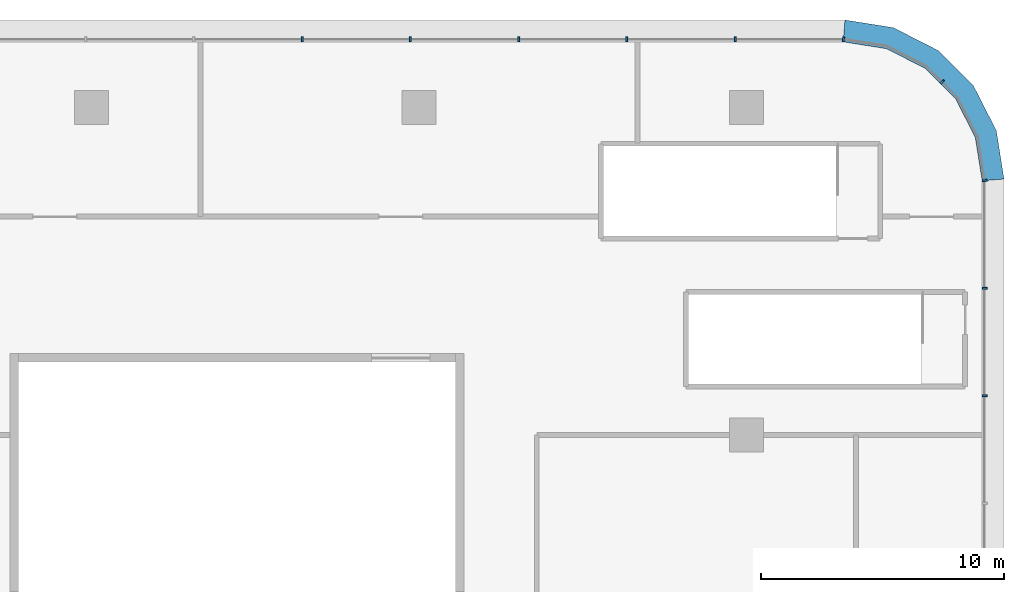
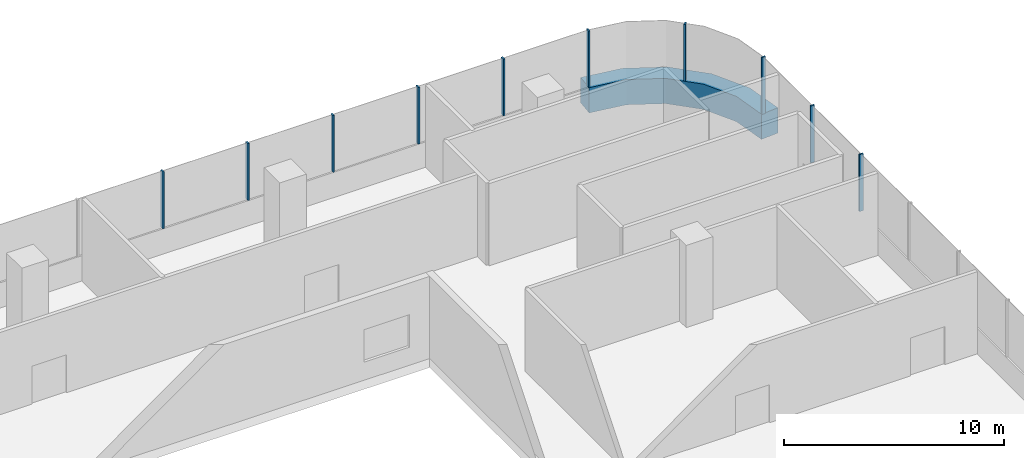
# One storey, part 19 of 38: 11 members, 3 elements without a shape of their own.
"""IFC4 building model written with IfcOpenShell, lengths in metres."""

import ifcopenshell
import ifcopenshell.guid

model = None  # the IFC model being written
_history = None  # IfcOwnerHistory: only IFC2X3 demands one
_inside = {}  # id of a spatial element -> (the spatial element, [elements in it])
_under = {}  # id of a project, library or spatial element -> (it, [spatial elements below it])
_declared = {}  # id of a project -> (the project, [libraries it declares])
_typed = {}  # id of a type object -> (the type object, [elements of that type])
_made_of = {}  # id of a material, layer set ... -> (it, [elements and type objects made of it])


def new_model(schema):
    """Start an empty IFC model of exactly this schema.

    Asked for "IFC4X3", IfcOpenShell would pick the latest addendum, in which some entities
    have other attributes; the version numbers below select the first issue.
    IFC2X3 requires an IfcOwnerHistory on every rooted entity: one is made here for all.
    """
    global model, _history
    if schema == "IFC4X3":
        model = ifcopenshell.file(schema_version=(4, 3, 0, 0))
    else:
        model = ifcopenshell.file(schema=schema)
    _inside.clear()
    _under.clear()
    _declared.clear()
    _typed.clear()
    _made_of.clear()
    _history = None
    if model.schema == "IFC2X3":
        org = make("IfcOrganization", Name="unknown")
        user = make(
            "IfcPersonAndOrganization",
            ThePerson=make("IfcPerson", FamilyName="unknown"),
            TheOrganization=org,
        )
        app = make(
            "IfcApplication",
            ApplicationDeveloper=org,
            Version="unknown",
            ApplicationFullName="unknown",
            ApplicationIdentifier="unknown",
        )
        _history = make(
            "IfcOwnerHistory",
            OwningUser=user,
            OwningApplication=app,
            ChangeAction="ADDED",
            CreationDate=0,
        )
    return model


def make(cls, **values):
    """One entity of the class cls with the attributes given. An attribute that is None is left unset."""
    return model.create_entity(
        cls, **{name: value for name, value in values.items() if value is not None}
    )


def rooted(cls, **values):
    """An entity with a GlobalId (a new one), such as an element, a storey or a relation."""
    return make(cls, GlobalId=ifcopenshell.guid.new(), OwnerHistory=_history, **values)


def si_unit(unit_type, name, prefix=None):
    """IfcSIUnit, for example si_unit("LENGTHUNIT", "METRE", prefix="MILLI")."""
    return make("IfcSIUnit", UnitType=unit_type, Prefix=prefix, Name=name)


def assignment(units):
    """IfcUnitAssignment: the units of a project."""
    return None if units is None else make("IfcUnitAssignment", Units=units)


def point(xyz):
    """IfcCartesianPoint."""
    return None if xyz is None else make("IfcCartesianPoint", Coordinates=xyz)


def direction(xyz):
    """IfcDirection."""
    return None if xyz is None else make("IfcDirection", DirectionRatios=xyz)


def frame(location, z_axis=None, x_axis=None):
    """IfcAxis2Placement3D, a coordinate frame: its origin and axes. An axis left out is left unset."""
    return make(
        "IfcAxis2Placement3D",
        Location=point(location),
        Axis=direction(z_axis),
        RefDirection=direction(x_axis),
    )


def frame_2d(location, x_axis=None):
    """IfcAxis2Placement2D, a coordinate frame in the plane: its origin and x axis."""
    return make(
        "IfcAxis2Placement2D", Location=point(location), RefDirection=direction(x_axis)
    )


def origin():
    """The frame at (0, 0, 0) with its axes left unset."""
    return frame((0.0, 0.0, 0.0))


def origin_2d():
    """The frame at (0, 0) in the plane with its x axis left unset."""
    return frame_2d((0.0, 0.0))


def place(relative_to, where):
    """IfcLocalPlacement: puts the frame where relative to a parent placement (None: the world)."""
    return make(
        "IfcLocalPlacement", PlacementRelTo=relative_to, RelativePlacement=where
    )


def context(
    kind, dimensions, precision=None, world=None, true_north=None, identifier=None
):
    """IfcGeometricRepresentationContext, for example the 3D "Model" context."""
    return make(
        "IfcGeometricRepresentationContext",
        ContextIdentifier=identifier,
        ContextType=kind,
        CoordinateSpaceDimension=dimensions,
        Precision=precision,
        WorldCoordinateSystem=world,
        TrueNorth=true_north,
    )


def subcontext(parent, identifier, kind, view, scale=None):
    """IfcGeometricRepresentationSubContext, for example "Body" below "Model"."""
    return make(
        "IfcGeometricRepresentationSubContext",
        ContextIdentifier=identifier,
        ContextType=kind,
        ParentContext=parent,
        TargetScale=scale,
        TargetView=view,
    )


def project(units=None, contexts=None):
    """IfcProject with its units and contexts."""
    return rooted(
        "IfcProject",
        Name="project",
        RepresentationContexts=contexts,
        UnitsInContext=assignment(units),
    )


def spatial(cls, under=None, at=None, **own):
    """A site, building, storey or space (cls), placed at a placement, below another one or the project."""
    s = rooted(cls, ObjectPlacement=at, **own)
    if under is not None:
        _under.setdefault(under.id(), (under, []))[1].append(s)
    return s


def polyline(points):
    """IfcPolyline through the points."""
    return make("IfcPolyline", Points=[point(p) for p in points])


def profile(cls, at=None, kind="AREA", **sizes):
    """A parametric profile (cls). Its sizes go by their IFC names, for example OverallWidth=200.0."""
    return make(cls, ProfileType=kind, Position=at, **sizes)


def rectangle(**sizes):
    """IfcRectangleProfileDef."""
    return profile("IfcRectangleProfileDef", **sizes)


def outline(outer, holes=None, kind="AREA"):
    """IfcArbitraryClosedProfileDef: a profile drawn as a closed curve; with holes, ...WithVoids."""
    if holes is None:
        return make("IfcArbitraryClosedProfileDef", ProfileType=kind, OuterCurve=outer)
    return make(
        "IfcArbitraryProfileDefWithVoids",
        ProfileType=kind,
        OuterCurve=outer,
        InnerCurves=holes,
    )


def extrude(swept, where, along, depth):
    """IfcExtrudedAreaSolid: the profile swept, set in the frame where, extruded along a direction by depth."""
    return make(
        "IfcExtrudedAreaSolid",
        SweptArea=swept,
        Position=where,
        ExtrudedDirection=direction(along),
        Depth=depth,
    )


def shape(context_of_items, identifier, shape_type, items):
    """IfcShapeRepresentation: the items that make up one representation, for example the "Body"."""
    return make(
        "IfcShapeRepresentation",
        ContextOfItems=context_of_items,
        RepresentationIdentifier=identifier,
        RepresentationType=shape_type,
        Items=items,
    )


def material(Name=None, Category=None):
    """IfcMaterial."""
    return make("IfcMaterial", Name=Name, Category=Category)


def layer(
    of_material, thickness, ventilated=None, Name=None, Category=None, Priority=None
):
    """IfcMaterialLayer: one layer of a wall or slab, of a material (None: an air gap)."""
    return make(
        "IfcMaterialLayer",
        Material=of_material,
        LayerThickness=thickness,
        IsVentilated=ventilated,
        Name=Name,
        Category=Category,
        Priority=Priority,
    )


def layer_set(layers, Name=None):
    """IfcMaterialLayerSet."""
    return make("IfcMaterialLayerSet", MaterialLayers=layers, LayerSetName=Name)


def material_profile(
    of_material, cross_section, Name=None, Category=None, Priority=None
):
    """IfcMaterialProfile: a cross section and its material."""
    return make(
        "IfcMaterialProfile",
        Name=Name,
        Material=of_material,
        Profile=cross_section,
        Priority=Priority,
        Category=Category,
    )


def profile_set(profiles, Name=None, composite=None):
    """IfcMaterialProfileSet."""
    return make(
        "IfcMaterialProfileSet",
        Name=Name,
        MaterialProfiles=profiles,
        CompositeProfile=composite,
    )


def made_of(thing, what):
    """Note that an element or type object is made of a material, layer set ...; save() writes the relation."""
    if what is not None:
        _made_of.setdefault(what.id(), (what, []))[1].append(thing)
    return thing


def type_object(cls, material=None, **own):
    """A type object (cls), such as IfcWallType, which elements share."""
    return made_of(rooted(cls, **own), material)


def element(
    cls,
    number,
    at=None,
    inside=None,
    cuts=None,
    type_object=None,
    material=None,
    context=None,
    identifier="Body",
    shape_type=None,
    held_by="IfcProductDefinitionShape",
    body=None,
    shapes=None,
    **own,
):
    """One element of the class cls, such as IfcWall. Its Tag is "e" and its number.

    at: its placement. inside: the storey or other place that contains it. cuts: it is an
    opening in that element (IfcRelVoidsElement). A single representation is given by context,
    identifier, shape_type and body (its items); several are given by shapes. held_by: the class
    of the entity that holds the representations. save() writes the other relations.
    """
    e = rooted(cls, Tag="e%d" % number, ObjectPlacement=at, **own)
    if body is not None:
        shapes = [shape(context, identifier, shape_type, body)]
    if shapes is not None:
        e.Representation = make(held_by, Representations=shapes)
    if inside is not None:
        _inside.setdefault(inside.id(), (inside, []))[1].append(e)
    if cuts is not None:
        rooted(
            "IfcRelVoidsElement", RelatingBuildingElement=cuts, RelatedOpeningElement=e
        )
    if type_object is not None:
        _typed.setdefault(type_object.id(), (type_object, []))[1].append(e)
    return made_of(e, material)


def aggregate(whole, parts):
    """IfcRelAggregates: a whole, such as a stair, and the parts it consists of."""
    return rooted("IfcRelAggregates", RelatingObject=whole, RelatedObjects=parts)


def save(model, path):
    """Write the relations noted so far, then the file.

    IfcRelAggregates (storeys below a building ...), IfcRelContainedInSpatialStructure (elements
    in a storey), IfcRelDefinesByType, IfcRelAssociatesMaterial and IfcRelDeclares: one each for
    every whole, place, type object, material and project.
    """
    for whole, parts in _under.values():
        aggregate(whole, parts)
    for where, things in _inside.values():
        rooted(
            "IfcRelContainedInSpatialStructure",
            RelatedElements=things,
            RelatingStructure=where,
        )
    for kind, things in _typed.values():
        rooted("IfcRelDefinesByType", RelatedObjects=things, RelatingType=kind)
    for what, things in _made_of.values():
        rooted("IfcRelAssociatesMaterial", RelatedObjects=things, RelatingMaterial=what)
    for by, libraries in _declared.values():
        rooted("IfcRelDeclares", RelatingContext=by, RelatedDefinitions=libraries)
    model.write(path)


model = new_model("IFC4")

# Units and contexts
model_context = context("Model", 3, precision=1e-05, world=origin(), true_north=direction((0.0, 1.0)))
body_context = subcontext(model_context, "Body", "Model", "MODEL_VIEW")
ifc_project = project(units=[si_unit("LENGTHUNIT", "METRE"), si_unit("AREAUNIT", "SQUARE_METRE"), si_unit("VOLUMEUNIT", "CUBIC_METRE"), si_unit("PLANEANGLEUNIT", "RADIAN"), si_unit("MASSUNIT", "GRAM", prefix="KILO")], contexts=[model_context])

# Site, building, storey
site_placement = place(None, origin())
site = spatial("IfcSite", under=ifc_project, at=site_placement, CompositionType="ELEMENT")
building_placement = place(site_placement, origin())
building = spatial("IfcBuilding", under=site, at=building_placement, Name="Tamarind Cross Interchange Tower", CompositionType="ELEMENT")
storey_placement = place(building_placement, frame((0.0, 0.0, 20.0)))
storey = spatial("IfcBuildingStorey", under=building, at=storey_placement, Name="L03", CompositionType="ELEMENT", Elevation=20.0)

# Curtain wall, member
ifc_material_1 = material(Name="Aluminium 6063-T6", Category="aluminium")
ifc_layer = layer(ifc_material_1, 0.199951171875)
ifc_layer_set = layer_set([ifc_layer], Name="Aluminium 6063-T6")
curtain_wall_type = type_object("IfcCurtainWallType", Name="Podium shopfront and station curtain wall", PredefinedType="NOTDEFINED", material=ifc_layer_set)
curtain_wall_1_placement = place(storey_placement, origin())
curtain_wall_1 = element("IfcCurtainWall", 1, at=curtain_wall_1_placement, inside=storey, type_object=curtain_wall_type, Name="CWS-L03-01", PredefinedType="NOTDEFINED")
ifc_material_2 = material(Name="Aluminium and insulated spandrel panel", Category="aluminium")
member_type_1 = type_object("IfcMemberType", Name="Floor-edge blade transom", PredefinedType="USERDEFINED", material=ifc_material_2)
member_1_placement = place(storey_placement, origin())
member_1 = element("IfcMember", 2, at=member_1_placement, type_object=member_type_1, Name="CWT-L03-01", ObjectType="TRANSOM", PredefinedType="USERDEFINED", context=body_context, shape_type="SweptSolid", body=[
    extrude(outline(polyline([(63.699951171875, 50.976318359375), (63.41748046875, 52.76025390625), (62.6083984375, 54.34814453125), (61.34814453125, 55.6083984375), (59.76025390625, 56.41748046875), (57.976318359375, 56.699951171875), (58.047119140625, 57.60009765625), (60.041748046875, 57.2841796875), (61.8837890625, 56.345458984375), (63.345458984375, 54.8837890625), (64.2841796875, 53.041748046875), (64.60009765625, 51.047119140625), (63.699951171875, 50.976318359375)])), origin(), (0.0, 0.0, 1.0), 1.39990234375),
])

# Curtain wall, members
curtain_wall_2_placement = place(storey_placement, origin())
curtain_wall_2 = element("IfcCurtainWall", 3, at=curtain_wall_2_placement, inside=storey, type_object=curtain_wall_type, Name="CWS-L03-00", PredefinedType="NOTDEFINED")
ifc_material_profile = material_profile(ifc_material_1, rectangle(XDim=0.080078125, YDim=0.199951171875, at=origin_2d()), Name="Mullion CW3")
ifc_profile_set = profile_set([ifc_material_profile], Name="Aluminium 6063-T6")
member_type_2 = type_object("IfcMemberType", Name="Mullion CW3", PredefinedType="MULLION", material=ifc_profile_set)
member_2_placement = place(storey_placement, frame((63.800048828125, 42.117431640625, 1.39990234375), z_axis=(0.0, 0.0, 1.0), x_axis=(0.0, 1.0, 0.0)))
member_2 = element("IfcMember", 4, at=member_2_placement, type_object=member_type_2, Name="CWM-L03-00-21", PredefinedType="MULLION", context=body_context, shape_type="SweptSolid", body=[
    extrude(rectangle(XDim=0.080078125, YDim=0.199951171875, at=origin_2d()), origin(), (0.0, 0.0, 1.0), 3.150146484375),
])
member_3_placement = place(storey_placement, frame((63.800048828125, 46.55078125, 1.39990234375), z_axis=(0.0, 0.0, 1.0), x_axis=(0.0, 1.0, 0.0)))
member_3 = element("IfcMember", 5, at=member_3_placement, type_object=member_type_2, Name="CWM-L03-00-22", PredefinedType="MULLION", context=body_context, shape_type="SweptSolid", body=[
    extrude(rectangle(XDim=0.080078125, YDim=0.199951171875, at=origin_2d()), origin(), (0.0, 0.0, 1.0), 3.150146484375),
])
aggregate(curtain_wall_2, [member_2, member_3])

# Member
member_4_placement = place(storey_placement, frame((63.800048828125, 50.984375, 1.39990234375), z_axis=(0.0, 0.0, 1.0), x_axis=(-0.078459095728, 0.996917333733, 0.0)))
member_4 = element("IfcMember", 6, at=member_4_placement, type_object=member_type_2, Name="CWM-L03-01-00", PredefinedType="MULLION", context=body_context, shape_type="SweptSolid", body=[
    extrude(rectangle(XDim=0.080078125, YDim=0.199951171875, at=origin_2d()), origin(), (0.0, 0.0, 1.0), 3.150146484375),
])

member_5_placement = place(storey_placement, frame((62.049072265625, 55.049072265625, 1.39990234375), z_axis=(0.0, 0.0, 1.0), x_axis=(-0.707106781187, 0.707106781187, 0.0)))
member_5 = element("IfcMember", 7, at=member_5_placement, type_object=member_type_2, Name="CWM-L03-01-01", PredefinedType="MULLION", context=body_context, shape_type="SweptSolid", body=[
    extrude(rectangle(XDim=0.080078125, YDim=0.199951171875, at=origin_2d()), origin(), (0.0, 0.0, 1.0), 3.150146484375),
])

aggregate(curtain_wall_1, [member_4, member_5, member_1])

# Curtain wall, members
curtain_wall_3_placement = place(storey_placement, origin())
curtain_wall_3 = element("IfcCurtainWall", 8, at=curtain_wall_3_placement, inside=storey, type_object=curtain_wall_type, Name="CWS-L03-02", PredefinedType="NOTDEFINED")
member_6_placement = place(storey_placement, frame((57.984375, 56.800048828125, 1.39990234375), z_axis=(0.0, 0.0, 1.0), x_axis=(-0.996917333733, 0.078459095728, 0.0)))
member_6 = element("IfcMember", 9, at=member_6_placement, type_object=member_type_2, Name="CWM-L03-02-00", PredefinedType="MULLION", context=body_context, shape_type="SweptSolid", body=[
    extrude(rectangle(XDim=0.080078125, YDim=0.199951171875, at=origin_2d()), origin(), (0.0, 0.0, 1.0), 3.150146484375),
])
member_7_placement = place(storey_placement, frame((53.52392578125, 56.800048828125, 1.39990234375), z_axis=(0.0, 0.0, 1.0), x_axis=(-1.0, 0.0, 0.0)))
member_7 = element("IfcMember", 10, at=member_7_placement, type_object=member_type_2, Name="CWM-L03-02-01", PredefinedType="MULLION", context=body_context, shape_type="SweptSolid", body=[
    extrude(rectangle(XDim=0.080078125, YDim=0.199951171875, at=origin_2d()), origin(), (0.0, 0.0, 1.0), 3.150146484375),
])
member_8_placement = place(storey_placement, frame((49.063720703125, 56.800048828125, 1.39990234375), z_axis=(0.0, 0.0, 1.0), x_axis=(-1.0, 0.0, 0.0)))
member_8 = element("IfcMember", 11, at=member_8_placement, type_object=member_type_2, Name="CWM-L03-02-02", PredefinedType="MULLION", context=body_context, shape_type="SweptSolid", body=[
    extrude(rectangle(XDim=0.080078125, YDim=0.199951171875, at=origin_2d()), origin(), (0.0, 0.0, 1.0), 3.150146484375),
])
member_9_placement = place(storey_placement, frame((44.603271484375, 56.800048828125, 1.39990234375), z_axis=(0.0, 0.0, 1.0), x_axis=(-1.0, 0.0, 0.0)))
member_9 = element("IfcMember", 12, at=member_9_placement, type_object=member_type_2, Name="CWM-L03-02-03", PredefinedType="MULLION", context=body_context, shape_type="SweptSolid", body=[
    extrude(rectangle(XDim=0.080078125, YDim=0.199951171875, at=origin_2d()), origin(), (0.0, 0.0, 1.0), 3.150146484375),
])
member_10_placement = place(storey_placement, frame((40.14306640625, 56.800048828125, 1.39990234375), z_axis=(0.0, 0.0, 1.0), x_axis=(-1.0, 0.0, 0.0)))
member_10 = element("IfcMember", 13, at=member_10_placement, type_object=member_type_2, Name="CWM-L03-02-04", PredefinedType="MULLION", context=body_context, shape_type="SweptSolid", body=[
    extrude(rectangle(XDim=0.080078125, YDim=0.199951171875, at=origin_2d()), origin(), (0.0, 0.0, 1.0), 3.150146484375),
])
member_11_placement = place(storey_placement, frame((35.6826171875, 56.800048828125, 1.39990234375), z_axis=(0.0, 0.0, 1.0), x_axis=(-1.0, 0.0, 0.0)))
member_11 = element("IfcMember", 14, at=member_11_placement, type_object=member_type_2, Name="CWM-L03-02-05", PredefinedType="MULLION", context=body_context, shape_type="SweptSolid", body=[
    extrude(rectangle(XDim=0.080078125, YDim=0.199951171875, at=origin_2d()), origin(), (0.0, 0.0, 1.0), 3.150146484375),
])
aggregate(curtain_wall_3, [member_6, member_7, member_8, member_9, member_10, member_11])

save(model, "model.ifc")
